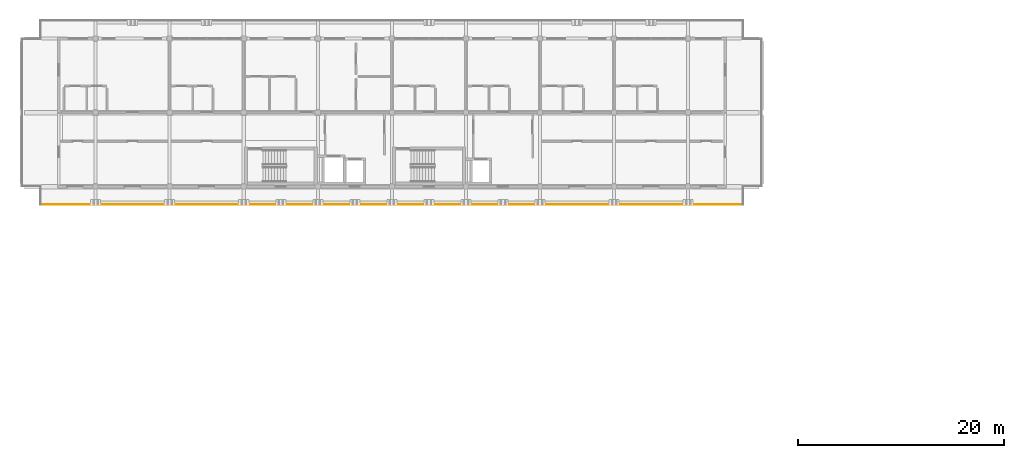
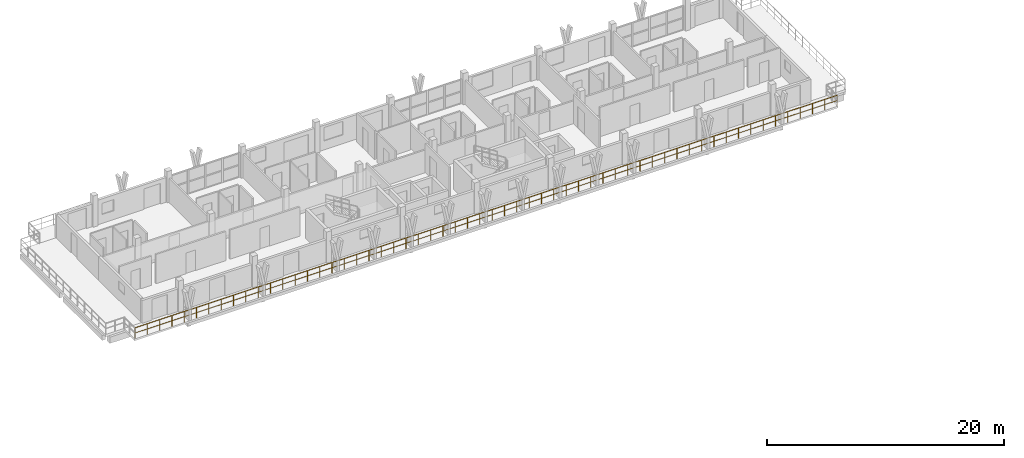
# One storey, part 39 of 45: 1 railing.
"""IFC4 building model written with IfcOpenShell, lengths in metres."""

from ifc_helpers import new_model, si_unit, direction, frame, origin, origin_2d, place, context, subcontext, project, spatial, rectangle, extrude, material, type_object, element, save


model = new_model("IFC4")

# Units and contexts
model_context = context("Model", 3, precision=1e-05, world=origin(), true_north=direction((0.0, 1.0)))
body_context = subcontext(model_context, "Body", "Model", "MODEL_VIEW")
ifc_project = project(units=[si_unit("LENGTHUNIT", "METRE"), si_unit("AREAUNIT", "SQUARE_METRE"), si_unit("VOLUMEUNIT", "CUBIC_METRE"), si_unit("PLANEANGLEUNIT", "RADIAN"), si_unit("MASSUNIT", "GRAM", prefix="KILO")], contexts=[model_context])

# Site, building, storey
site_placement = place(None, origin())
site = spatial("IfcSite", under=ifc_project, at=site_placement, CompositionType="ELEMENT")
building_placement = place(site_placement, origin())
building = spatial("IfcBuilding", under=site, at=building_placement, Name="Suanplinth Sawtooth Commons", CompositionType="ELEMENT")
storey_placement = place(building_placement, frame((0.0, 0.0, 38.0)))
storey = spatial("IfcBuildingStorey", under=building, at=storey_placement, Name="L11", CompositionType="ELEMENT", Elevation=38.0)

# Railing
ifc_material = material(Name="Powder-coated galvanized steel", Category="steel")
railing_type = type_object("IfcRailingType", Name="GR-01", PredefinedType="BALUSTRADE", material=ifc_material)
railing_placement = place(storey_placement, frame((91.739990234375, 106.260009765625, 0.0)))
element("IfcRailing", 1, at=railing_placement, inside=storey, type_object=railing_type, Name="L11 Block A Perimeter Balustrade 11", PredefinedType="BALUSTRADE", context=body_context, shape_type="SweptSolid", body=[
    extrude(rectangle(XDim=0.048095703125, YDim=0.048095703125, at=origin_2d()), frame((0.0, 0.0, 1.09619140625), z_axis=(-1.0, 0.0, 0.0), x_axis=(0.0, -1.0, 0.0)), (0.0, 0.0, 1.0), 68.280029296875),
    extrude(rectangle(XDim=0.03369140625, YDim=0.03369140625, at=origin_2d()), frame((0.0, 0.0, 0.56005859375), z_axis=(-1.0, 0.0, 0.0), x_axis=(0.0, -1.0, 0.0)), (0.0, 0.0, 1.0), 68.280029296875),
    extrude(rectangle(XDim=0.0419921875, YDim=0.0419921875, at=origin_2d()), origin(), (0.0, 0.0, 1.0), 1.072021484375),
    extrude(rectangle(XDim=0.0419921875, YDim=0.0419921875, at=origin_2d()), frame((-1.197998046875, 0.0, 0.0)), (0.0, 0.0, 1.0), 1.072021484375),
    extrude(rectangle(XDim=0.0419921875, YDim=0.0419921875, at=origin_2d()), frame((-2.395751953125, 0.0, 0.0)), (0.0, 0.0, 1.0), 1.072021484375),
    extrude(rectangle(XDim=0.0419921875, YDim=0.0419921875, at=origin_2d()), frame((-3.59375, 0.0, 0.0)), (0.0, 0.0, 1.0), 1.072021484375),
    extrude(rectangle(XDim=0.0419921875, YDim=0.0419921875, at=origin_2d()), frame((-4.79150390625, 0.0, 0.0)), (0.0, 0.0, 1.0), 1.072021484375),
    extrude(rectangle(XDim=0.0419921875, YDim=0.0419921875, at=origin_2d()), frame((-5.989501953125, 0.0, 0.0)), (0.0, 0.0, 1.0), 1.072021484375),
    extrude(rectangle(XDim=0.0419921875, YDim=0.0419921875, at=origin_2d()), frame((-7.187255859375, 0.0, 0.0)), (0.0, 0.0, 1.0), 1.072021484375),
    extrude(rectangle(XDim=0.0419921875, YDim=0.0419921875, at=origin_2d()), frame((-8.38525390625, 0.0, 0.0)), (0.0, 0.0, 1.0), 1.072021484375),
    extrude(rectangle(XDim=0.0419921875, YDim=0.0419921875, at=origin_2d()), frame((-9.583251953125, 0.0, 0.0)), (0.0, 0.0, 1.0), 1.072021484375),
    extrude(rectangle(XDim=0.0419921875, YDim=0.0419921875, at=origin_2d()), frame((-10.781005859375, 0.0, 0.0)), (0.0, 0.0, 1.0), 1.072021484375),
    extrude(rectangle(XDim=0.0419921875, YDim=0.0419921875, at=origin_2d()), frame((-11.97900390625, 0.0, 0.0)), (0.0, 0.0, 1.0), 1.072021484375),
    extrude(rectangle(XDim=0.0419921875, YDim=0.0419921875, at=origin_2d()), frame((-13.1767578125, 0.0, 0.0)), (0.0, 0.0, 1.0), 1.072021484375),
    extrude(rectangle(XDim=0.0419921875, YDim=0.0419921875, at=origin_2d()), frame((-14.374755859375, 0.0, 0.0)), (0.0, 0.0, 1.0), 1.072021484375),
    extrude(rectangle(XDim=0.0419921875, YDim=0.0419921875, at=origin_2d()), frame((-15.57275390625, 0.0, 0.0)), (0.0, 0.0, 1.0), 1.072021484375),
    extrude(rectangle(XDim=0.0419921875, YDim=0.0419921875, at=origin_2d()), frame((-16.7705078125, 0.0, 0.0)), (0.0, 0.0, 1.0), 1.072021484375),
    extrude(rectangle(XDim=0.0419921875, YDim=0.0419921875, at=origin_2d()), frame((-17.968505859375, 0.0, 0.0)), (0.0, 0.0, 1.0), 1.072021484375),
    extrude(rectangle(XDim=0.0419921875, YDim=0.0419921875, at=origin_2d()), frame((-19.166259765625, 0.0, 0.0)), (0.0, 0.0, 1.0), 1.072021484375),
    extrude(rectangle(XDim=0.0419921875, YDim=0.0419921875, at=origin_2d()), frame((-20.3642578125, 0.0, 0.0)), (0.0, 0.0, 1.0), 1.072021484375),
    extrude(rectangle(XDim=0.0419921875, YDim=0.0419921875, at=origin_2d()), frame((-21.56201171875, 0.0, 0.0)), (0.0, 0.0, 1.0), 1.072021484375),
    extrude(rectangle(XDim=0.0419921875, YDim=0.0419921875, at=origin_2d()), frame((-22.760009765625, 0.0, 0.0)), (0.0, 0.0, 1.0), 1.072021484375),
    extrude(rectangle(XDim=0.0419921875, YDim=0.0419921875, at=origin_2d()), frame((-23.9580078125, 0.0, 0.0)), (0.0, 0.0, 1.0), 1.072021484375),
    extrude(rectangle(XDim=0.0419921875, YDim=0.0419921875, at=origin_2d()), frame((-25.15576171875, 0.0, 0.0)), (0.0, 0.0, 1.0), 1.072021484375),
    extrude(rectangle(XDim=0.0419921875, YDim=0.0419921875, at=origin_2d()), frame((-26.353759765625, 0.0, 0.0)), (0.0, 0.0, 1.0), 1.072021484375),
    extrude(rectangle(XDim=0.0419921875, YDim=0.0419921875, at=origin_2d()), frame((-27.551513671875, 0.0, 0.0)), (0.0, 0.0, 1.0), 1.072021484375),
    extrude(rectangle(XDim=0.0419921875, YDim=0.0419921875, at=origin_2d()), frame((-28.74951171875, 0.0, 0.0)), (0.0, 0.0, 1.0), 1.072021484375),
    extrude(rectangle(XDim=0.0419921875, YDim=0.0419921875, at=origin_2d()), frame((-29.947265625, 0.0, 0.0)), (0.0, 0.0, 1.0), 1.072021484375),
    extrude(rectangle(XDim=0.0419921875, YDim=0.0419921875, at=origin_2d()), frame((-31.145263671875, 0.0, 0.0)), (0.0, 0.0, 1.0), 1.072021484375),
    extrude(rectangle(XDim=0.0419921875, YDim=0.0419921875, at=origin_2d()), frame((-32.34326171875, 0.0, 0.0)), (0.0, 0.0, 1.0), 1.072021484375),
    extrude(rectangle(XDim=0.0419921875, YDim=0.0419921875, at=origin_2d()), frame((-33.541015625, 0.0, 0.0)), (0.0, 0.0, 1.0), 1.072021484375),
    extrude(rectangle(XDim=0.0419921875, YDim=0.0419921875, at=origin_2d()), frame((-34.739013671875, 0.0, 0.0)), (0.0, 0.0, 1.0), 1.072021484375),
    extrude(rectangle(XDim=0.0419921875, YDim=0.0419921875, at=origin_2d()), frame((-35.936767578125, 0.0, 0.0)), (0.0, 0.0, 1.0), 1.072021484375),
    extrude(rectangle(XDim=0.0419921875, YDim=0.0419921875, at=origin_2d()), frame((-37.134765625, 0.0, 0.0)), (0.0, 0.0, 1.0), 1.072021484375),
    extrude(rectangle(XDim=0.0419921875, YDim=0.0419921875, at=origin_2d()), frame((-38.332763671875, 0.0, 0.0)), (0.0, 0.0, 1.0), 1.072021484375),
    extrude(rectangle(XDim=0.0419921875, YDim=0.0419921875, at=origin_2d()), frame((-39.530517578125, 0.0, 0.0)), (0.0, 0.0, 1.0), 1.072021484375),
    extrude(rectangle(XDim=0.0419921875, YDim=0.0419921875, at=origin_2d()), frame((-40.728515625, 0.0, 0.0)), (0.0, 0.0, 1.0), 1.072021484375),
    extrude(rectangle(XDim=0.0419921875, YDim=0.0419921875, at=origin_2d()), frame((-41.92626953125, 0.0, 0.0)), (0.0, 0.0, 1.0), 1.072021484375),
    extrude(rectangle(XDim=0.0419921875, YDim=0.0419921875, at=origin_2d()), frame((-43.124267578125, 0.0, 0.0)), (0.0, 0.0, 1.0), 1.072021484375),
    extrude(rectangle(XDim=0.0419921875, YDim=0.0419921875, at=origin_2d()), frame((-44.322021484375, 0.0, 0.0)), (0.0, 0.0, 1.0), 1.072021484375),
    extrude(rectangle(XDim=0.0419921875, YDim=0.0419921875, at=origin_2d()), frame((-45.52001953125, 0.0, 0.0)), (0.0, 0.0, 1.0), 1.072021484375),
    extrude(rectangle(XDim=0.0419921875, YDim=0.0419921875, at=origin_2d()), frame((-46.718017578125, 0.0, 0.0)), (0.0, 0.0, 1.0), 1.072021484375),
    extrude(rectangle(XDim=0.0419921875, YDim=0.0419921875, at=origin_2d()), frame((-47.915771484375, 0.0, 0.0)), (0.0, 0.0, 1.0), 1.072021484375),
    extrude(rectangle(XDim=0.0419921875, YDim=0.0419921875, at=origin_2d()), frame((-49.11376953125, 0.0, 0.0)), (0.0, 0.0, 1.0), 1.072021484375),
    extrude(rectangle(XDim=0.0419921875, YDim=0.0419921875, at=origin_2d()), frame((-50.3115234375, 0.0, 0.0)), (0.0, 0.0, 1.0), 1.072021484375),
    extrude(rectangle(XDim=0.0419921875, YDim=0.0419921875, at=origin_2d()), frame((-51.509521484375, 0.0, 0.0)), (0.0, 0.0, 1.0), 1.072021484375),
    extrude(rectangle(XDim=0.0419921875, YDim=0.0419921875, at=origin_2d()), frame((-52.707275390625, 0.0, 0.0)), (0.0, 0.0, 1.0), 1.072021484375),
    extrude(rectangle(XDim=0.0419921875, YDim=0.0419921875, at=origin_2d()), frame((-53.9052734375, 0.0, 0.0)), (0.0, 0.0, 1.0), 1.072021484375),
    extrude(rectangle(XDim=0.0419921875, YDim=0.0419921875, at=origin_2d()), frame((-55.103271484375, 0.0, 0.0)), (0.0, 0.0, 1.0), 1.072021484375),
    extrude(rectangle(XDim=0.0419921875, YDim=0.0419921875, at=origin_2d()), frame((-56.301025390625, 0.0, 0.0)), (0.0, 0.0, 1.0), 1.072021484375),
    extrude(rectangle(XDim=0.0419921875, YDim=0.0419921875, at=origin_2d()), frame((-57.4990234375, 0.0, 0.0)), (0.0, 0.0, 1.0), 1.072021484375),
    extrude(rectangle(XDim=0.0419921875, YDim=0.0419921875, at=origin_2d()), frame((-58.69677734375, 0.0, 0.0)), (0.0, 0.0, 1.0), 1.072021484375),
    extrude(rectangle(XDim=0.0419921875, YDim=0.0419921875, at=origin_2d()), frame((-59.894775390625, 0.0, 0.0)), (0.0, 0.0, 1.0), 1.072021484375),
    extrude(rectangle(XDim=0.0419921875, YDim=0.0419921875, at=origin_2d()), frame((-61.0927734375, 0.0, 0.0)), (0.0, 0.0, 1.0), 1.072021484375),
    extrude(rectangle(XDim=0.0419921875, YDim=0.0419921875, at=origin_2d()), frame((-62.29052734375, 0.0, 0.0)), (0.0, 0.0, 1.0), 1.072021484375),
    extrude(rectangle(XDim=0.0419921875, YDim=0.0419921875, at=origin_2d()), frame((-63.488525390625, 0.0, 0.0)), (0.0, 0.0, 1.0), 1.072021484375),
    extrude(rectangle(XDim=0.0419921875, YDim=0.0419921875, at=origin_2d()), frame((-64.686279296875, 0.0, 0.0)), (0.0, 0.0, 1.0), 1.072021484375),
    extrude(rectangle(XDim=0.0419921875, YDim=0.0419921875, at=origin_2d()), frame((-65.88427734375, 0.0, 0.0)), (0.0, 0.0, 1.0), 1.072021484375),
    extrude(rectangle(XDim=0.0419921875, YDim=0.0419921875, at=origin_2d()), frame((-67.08203125, 0.0, 0.0)), (0.0, 0.0, 1.0), 1.072021484375),
    extrude(rectangle(XDim=0.0419921875, YDim=0.0419921875, at=origin_2d()), frame((-68.280029296875, 0.0, 0.0)), (0.0, 0.0, 1.0), 1.072021484375),
])

save(model, "model.ifc")
